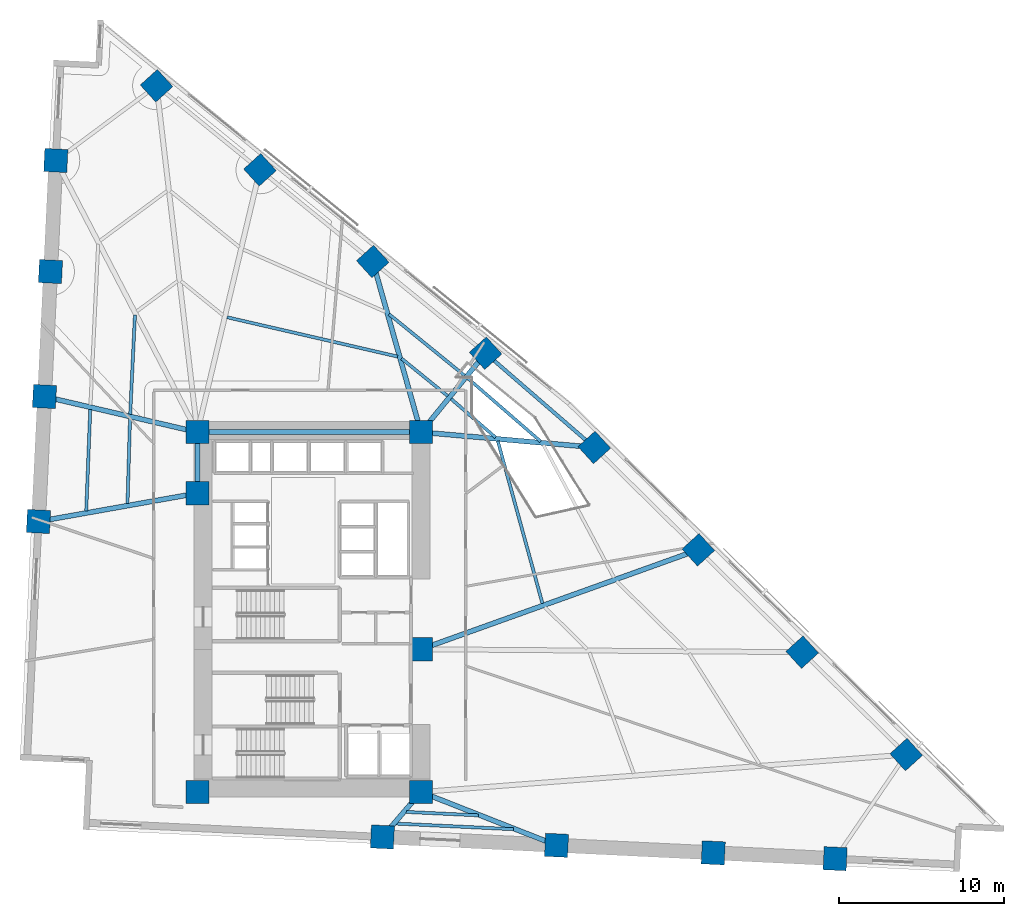
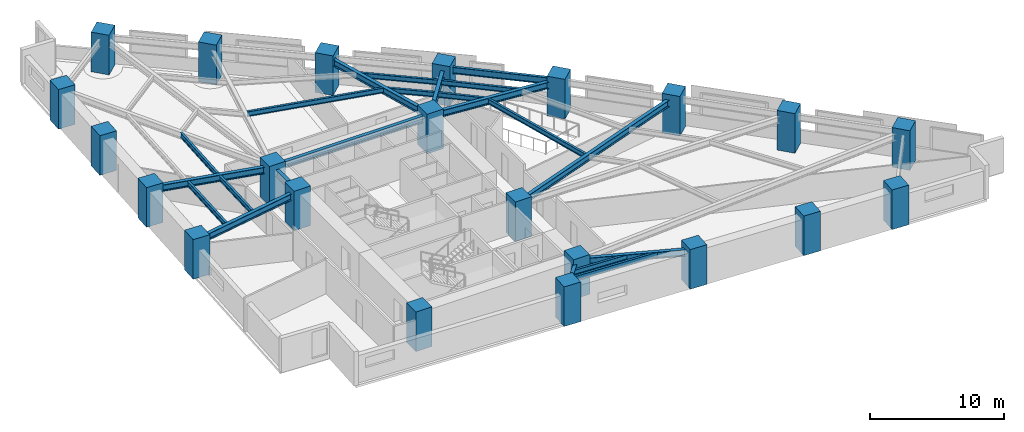
# One storey, part 1 of 17: 22 beams, 22 columns.
"""IFC4 building model written with IfcOpenShell, lengths in metres."""

from ifc_helpers import new_model, si_unit, direction, frame, origin, origin_2d, place, context, subcontext, project, spatial, rectangle, i_section, extrude, material, material_profile, profile_set, type_object, element, save


model = new_model("IFC4")

# Units and contexts
model_context = context("Model", 3, precision=1e-05, world=origin(), true_north=direction((0.0, 1.0)))
body_context = subcontext(model_context, "Body", "Model", "MODEL_VIEW")
ifc_project = project(units=[si_unit("LENGTHUNIT", "METRE"), si_unit("AREAUNIT", "SQUARE_METRE"), si_unit("VOLUMEUNIT", "CUBIC_METRE"), si_unit("PLANEANGLEUNIT", "RADIAN"), si_unit("MASSUNIT", "GRAM", prefix="KILO")], contexts=[model_context])

# Site, building, storey
site_placement = place(None, origin())
site = spatial("IfcSite", under=ifc_project, at=site_placement, CompositionType="ELEMENT")
building_placement = place(site_placement, origin())
building = spatial("IfcBuilding", under=site, at=building_placement, Name="Narakoshi Arena Tower", CompositionType="ELEMENT")
storey_placement = place(building_placement, frame((0.0, 0.0, 55.5)))
storey = spatial("IfcBuildingStorey", under=building, at=storey_placement, Name="L14", CompositionType="ELEMENT", Elevation=55.5)

# Columns
ifc_material_1 = material(Name="Concrete C60/75", Category="concrete")
ifc_material_profile_1 = material_profile(ifc_material_1, rectangle(XDim=1.39990234375, YDim=1.39990234375, at=origin_2d()), Name="RC1400x1400")
ifc_profile_set_1 = profile_set([ifc_material_profile_1], Name="Concrete C60/75")
column_type = type_object("IfcColumnType", Name="COL-RC1400", PredefinedType="COLUMN", material=ifc_profile_set_1)
for number, where, z_axis, x_axis, name in (
    (1, (72.0, 34.699951171875, 0.0), (0.0, 0.0, 1.0), (1.0, 0.0, 0.0), "L14 Core Structural Column CC1"),
    (2, (85.550048828125, 34.699951171875, 0.0), (0.0, 0.0, 1.0), (1.0, 0.0, 0.0), "L14 Core Structural Column CC2"),
    (3, (85.550048828125, 43.35009765625, 0.0), (0.0, 0.0, 1.0), (1.0, 0.0, 0.0), "L14 Core Structural Column CC3"),
    (4, (72.0, 52.800048828125, 0.0), (0.0, 0.0, 1.0), (1.0, 0.0, 0.0), "L14 Core Structural Column CC4"),
    (5, (72.0, 56.5, 0.0), (0.0, 0.0, 1.0), (1.0, 0.0, 0.0), "L14 Core Structural Column CC5"),
    (6, (85.550048828125, 56.5, 0.0), (0.0, 0.0, 1.0), (1.0, 0.0, 0.0), "L14 Core Structural Column CC6"),
    (7, (83.2119140625, 31.979248046875, 0.0), (0.0, 0.0, 1.0), (-0.998848386485, 0.047978128521, 0.0), "L14 Tower Perimeter Column TC01"),
    (8, (93.760009765625, 31.472412109375, 0.0), (0.0, 0.0, 1.0), (-0.998848386485, 0.047978128521, 0.0), "L14 Tower Perimeter Column TC02"),
    (9, (103.2529296875, 31.0166015625, 0.0), (0.0, 0.0, 1.0), (-0.998848386485, 0.047978128521, 0.0), "L14 Tower Perimeter Column TC03"),
    (10, (110.636474609375, 30.661865234375, 0.0), (0.0, 0.0, 1.0), (-0.998848386485, 0.047978128521, 0.0), "L14 Tower Perimeter Column TC04"),
    (11, (114.942138671875, 36.969970703125, 0.0), (0.0, 0.0, 1.0), (0.740218127487, 0.672366807435, 0.0), "L14 Tower Perimeter Column TC05"),
    (12, (108.643798828125, 43.171875, 0.0), (0.0, 0.0, 1.0), (0.740218127487, 0.672366807435, 0.0), "L14 Tower Perimeter Column TC06"),
    (13, (102.345458984375, 49.373779296875, 0.0), (0.0, 0.0, 1.0), (0.740218127487, 0.672366807435, 0.0), "L14 Tower Perimeter Column TC07"),
    (14, (96.047119140625, 55.57568359375, 0.0), (0.0, 0.0, 1.0), (0.740218127487, 0.672366807435, 0.0), "L14 Tower Perimeter Column TC08"),
    (15, (89.459716796875, 61.28515625, 0.0), (0.0, 0.0, 1.0), (0.740218127487, 0.672366807435, 0.0), "L14 Tower Perimeter Column TC09"),
    (16, (82.626953125, 66.838623046875, 0.0), (0.0, 0.0, 1.0), (0.740218127487, 0.672366807435, 0.0), "L14 Tower Perimeter Column TC10"),
    (17, (75.794189453125, 72.392333984375, 0.0), (0.0, 0.0, 1.0), (0.740218127487, 0.672366807435, 0.0), "L14 Tower Perimeter Column TC11"),
    (18, (69.531005859375, 77.483154296875, 0.0), (0.0, 0.0, 1.0), (0.740218127487, 0.672366807435, 0.0), "L14 Tower Perimeter Column TC12"),
    (19, (63.42822265625, 72.95654296875, 0.0), (0.0, 0.0, 1.0), (0.047978128521, 0.998848386485, 0.0), "L14 Tower Perimeter Column TC13"),
    (20, (63.10498046875, 66.228271484375, 0.0), (0.0, 0.0, 1.0), (0.047978128521, 0.998848386485, 0.0), "L14 Tower Perimeter Column TC14"),
    (21, (62.74169921875, 58.658935546875, 0.0), (0.0, 0.0, 1.0), (0.047978128521, 0.998848386485, 0.0), "L14 Tower Perimeter Column TC15"),
    (22, (62.3779296875, 51.08984375, 0.0), (0.0, 0.0, 1.0), (0.047978128521, 0.998848386485, 0.0), "L14 Tower Perimeter Column TC16"),
):
    element("IfcColumn", number, at=place(storey_placement, frame(where, z_axis=z_axis, x_axis=x_axis)), inside=storey, type_object=column_type, Name=name, PredefinedType="COLUMN", context=body_context, shape_type="SweptSolid", body=[
        extrude(rectangle(XDim=1.39990234375, YDim=1.39990234375, at=origin_2d()), origin(), (0.0, 0.0, 1.0), 3.60009765625),
    ])

# Beams
ifc_material_2 = material(Name="Structural steel S355J2", Category="steel")
ifc_material_profile_2 = material_profile(ifc_material_2, i_section(OverallWidth=0.219970703125, OverallDepth=0.60009765625, WebThickness=0.011962890625, FlangeThickness=0.01904296875, FilletRadius=0.02392578125, at=origin_2d()), Name="IPE600")
ifc_profile_set_2 = profile_set([ifc_material_profile_2], Name="Structural steel S355J2")
beam_type_1 = type_object("IfcBeamType", Name="BM-EDGE-600", PredefinedType="BEAM", material=ifc_profile_set_2)
beam_1_placement = place(storey_placement, frame((96.047119140625, 55.57568359375, 2.800048828125), z_axis=(-0.755666904752, 0.654956127586, 0.0), x_axis=(-0.654956127586, -0.755666904752, 0.0)))
element("IfcBeam", 23, at=beam_1_placement, inside=storey, type_object=beam_type_1, Name="L14 Perimeter Edge Girder 08", PredefinedType="BEAM", context=body_context, shape_type="SweptSolid", body=[
    extrude(i_section(OverallWidth=0.219970703125, OverallDepth=0.60009765625, WebThickness=0.011962890625, FlangeThickness=0.01904296875, FilletRadius=0.02392578125, at=origin_2d()), origin(), (0.0, 0.0, 1.0), 8.71728515625),
])
ifc_material_profile_3 = material_profile(ifc_material_2, i_section(OverallWidth=0.300048828125, OverallDepth=0.60009765625, WebThickness=0.015380859375, FlangeThickness=0.030029296875, FilletRadius=0.027099609375, at=origin_2d()), Name="HE600B")
ifc_profile_set_3 = profile_set([ifc_material_profile_3], Name="Structural steel S355J2")
beam_type_2 = type_object("IfcBeamType", Name="BM-PRI-600", PredefinedType="BEAM", material=ifc_profile_set_3)
beam_2_placement = place(storey_placement, frame((85.550048828125, 34.699951171875, 2.800048828125), z_axis=(-0.651771636497, -0.75841527797, 0.0), x_axis=(0.75841527797, -0.651771636497, 0.0)))
element("IfcBeam", 24, at=beam_2_placement, inside=storey, type_object=beam_type_2, Name="L14 Radial Primary Floor Girder 01", PredefinedType="BEAM", context=body_context, shape_type="SweptSolid", body=[
    extrude(i_section(OverallWidth=0.300048828125, OverallDepth=0.60009765625, WebThickness=0.015380859375, FlangeThickness=0.030029296875, FilletRadius=0.027099609375, at=origin_2d()), origin(), (0.0, 0.0, 1.0), 3.58740234375),
])
beam_3_placement = place(storey_placement, frame((85.550048828125, 34.699951171875, 2.800048828125), z_axis=(0.930666699288, -0.365868138592, 0.0), x_axis=(0.365868138592, 0.930666699288, 0.0)))
element("IfcBeam", 25, at=beam_3_placement, inside=storey, type_object=beam_type_2, Name="L14 Radial Primary Floor Girder 02", PredefinedType="BEAM", context=body_context, shape_type="SweptSolid", body=[
    extrude(i_section(OverallWidth=0.300048828125, OverallDepth=0.60009765625, WebThickness=0.015380859375, FlangeThickness=0.030029296875, FilletRadius=0.027099609375, at=origin_2d()), origin(), (0.0, 0.0, 1.0), 8.821533203125),
])
beam_4_placement = place(storey_placement, frame((85.550048828125, 43.35009765625, 2.800048828125), z_axis=(0.941291582753, 0.337594662634, 0.0), x_axis=(-0.337594662634, 0.941291582753, 0.0)))
element("IfcBeam", 26, at=beam_4_placement, inside=storey, type_object=beam_type_2, Name="L14 Radial Primary Floor Girder 07", PredefinedType="BEAM", context=body_context, shape_type="SweptSolid", body=[
    extrude(i_section(OverallWidth=0.300048828125, OverallDepth=0.60009765625, WebThickness=0.015380859375, FlangeThickness=0.030029296875, FilletRadius=0.027099609375, at=origin_2d()), origin(), (0.0, 0.0, 1.0), 17.843017578125),
])
beam_5_placement = place(storey_placement, frame((85.550048828125, 56.5, 2.800048828125), z_axis=(0.996145584519, -0.087715303354, 0.0), x_axis=(0.087715303354, 0.996145584519, 0.0)))
element("IfcBeam", 27, at=beam_5_placement, inside=storey, type_object=beam_type_2, Name="L14 Radial Primary Floor Girder 08", PredefinedType="BEAM", context=body_context, shape_type="SweptSolid", body=[
    extrude(i_section(OverallWidth=0.300048828125, OverallDepth=0.60009765625, WebThickness=0.015380859375, FlangeThickness=0.030029296875, FilletRadius=0.027099609375, at=origin_2d()), origin(), (0.0, 0.0, 1.0), 10.53759765625),
])
beam_6_placement = place(storey_placement, frame((85.550048828125, 56.5, 2.800048828125), z_axis=(0.632708368655, 0.774390160212, 0.0), x_axis=(-0.774390160212, 0.632708368655, 0.0)))
element("IfcBeam", 28, at=beam_6_placement, inside=storey, type_object=beam_type_2, Name="L14 Radial Primary Floor Girder 09", PredefinedType="BEAM", context=body_context, shape_type="SweptSolid", body=[
    extrude(i_section(OverallWidth=0.300048828125, OverallDepth=0.60009765625, WebThickness=0.015380859375, FlangeThickness=0.030029296875, FilletRadius=0.027099609375, at=origin_2d()), origin(), (0.0, 0.0, 1.0), 6.17919921875),
])
beam_7_placement = place(storey_placement, frame((85.550048828125, 56.5, 2.800048828125), z_axis=(-0.272069994974, 0.962277464058, 0.0), x_axis=(-0.962277464058, -0.272069994974, 0.0)))
element("IfcBeam", 29, at=beam_7_placement, inside=storey, type_object=beam_type_2, Name="L14 Radial Primary Floor Girder 10", PredefinedType="BEAM", context=body_context, shape_type="SweptSolid", body=[
    extrude(i_section(OverallWidth=0.300048828125, OverallDepth=0.60009765625, WebThickness=0.015380859375, FlangeThickness=0.030029296875, FilletRadius=0.027099609375, at=origin_2d()), origin(), (0.0, 0.0, 1.0), 10.743896484375),
])
beam_8_placement = place(storey_placement, frame((72.0, 56.5, 2.800048828125), z_axis=(-0.973872266719, 0.227096473145, 0.0), x_axis=(-0.227096473145, -0.973872266719, 0.0)))
element("IfcBeam", 30, at=beam_8_placement, inside=storey, type_object=beam_type_2, Name="L14 Radial Primary Floor Girder 15", PredefinedType="BEAM", context=body_context, shape_type="SweptSolid", body=[
    extrude(i_section(OverallWidth=0.300048828125, OverallDepth=0.60009765625, WebThickness=0.015380859375, FlangeThickness=0.030029296875, FilletRadius=0.027099609375, at=origin_2d()), origin(), (0.0, 0.0, 1.0), 9.506591796875),
])
beam_9_placement = place(storey_placement, frame((72.0, 52.800048828125, 2.800048828125), z_axis=(-0.984569299514, -0.174995126944, 0.0), x_axis=(0.174995126944, -0.984569299514, 0.0)))
element("IfcBeam", 31, at=beam_9_placement, inside=storey, type_object=beam_type_2, Name="L14 Radial Primary Floor Girder 16", PredefinedType="BEAM", context=body_context, shape_type="SweptSolid", body=[
    extrude(i_section(OverallWidth=0.300048828125, OverallDepth=0.60009765625, WebThickness=0.015380859375, FlangeThickness=0.030029296875, FilletRadius=0.027099609375, at=origin_2d()), origin(), (0.0, 0.0, 1.0), 9.77294921875),
])
beam_10_placement = place(storey_placement, frame((72.0, 52.800048828125, 2.800048828125), z_axis=(0.0, 1.0, 0.0), x_axis=(-1.0, 0.0, 0.0)))
element("IfcBeam", 32, at=beam_10_placement, inside=storey, type_object=beam_type_2, Name="L14 Core Perimeter Frame Beam CC4-CC5", PredefinedType="BEAM", context=body_context, shape_type="SweptSolid", body=[
    extrude(i_section(OverallWidth=0.300048828125, OverallDepth=0.60009765625, WebThickness=0.015380859375, FlangeThickness=0.030029296875, FilletRadius=0.027099609375, at=origin_2d()), origin(), (0.0, 0.0, 1.0), 3.699951171875),
])
beam_11_placement = place(storey_placement, frame((72.0, 56.5, 2.800048828125), z_axis=(1.0, 0.0, 0.0), x_axis=(0.0, 1.0, 0.0)))
element("IfcBeam", 33, at=beam_11_placement, inside=storey, type_object=beam_type_2, Name="L14 Core Perimeter Frame Beam CC5-CC6", PredefinedType="BEAM", context=body_context, shape_type="SweptSolid", body=[
    extrude(i_section(OverallWidth=0.300048828125, OverallDepth=0.60009765625, WebThickness=0.015380859375, FlangeThickness=0.030029296875, FilletRadius=0.027099609375, at=origin_2d()), origin(), (0.0, 0.0, 1.0), 13.550048828125),
])
ifc_material_profile_4 = material_profile(ifc_material_2, i_section(OverallWidth=0.18994140625, OverallDepth=0.449951171875, WebThickness=0.009521484375, FlangeThickness=0.0146484375, FilletRadius=0.02099609375, at=origin_2d()), Name="IPE450")
ifc_profile_set_4 = profile_set([ifc_material_profile_4], Name="Structural steel S355J2")
beam_type_3 = type_object("IfcBeamType", Name="BM-SEC-450", PredefinedType="JOIST", material=ifc_profile_set_4)
beam_12_placement = place(storey_placement, frame((84.656005859375, 33.496337890625, 2.875), z_axis=(0.998848618666, -0.047973294541, 0.0), x_axis=(0.047973294541, 0.998848618666, 0.0)))
element("IfcBeam", 34, at=beam_12_placement, inside=storey, type_object=beam_type_3, Name="L14 Composite Secondary Floor Joist 01", PredefinedType="JOIST", context=body_context, shape_type="SweptSolid", body=[
    extrude(i_section(OverallWidth=0.18994140625, OverallDepth=0.449951171875, WebThickness=0.009521484375, FlangeThickness=0.0146484375, FilletRadius=0.02099609375, at=origin_2d()), origin(), (0.0, 0.0, 1.0), 4.376708984375),
])
beam_13_placement = place(storey_placement, frame((84.048095703125, 32.7890625, 2.875), z_axis=(0.998847805769, -0.047990216825, 0.0), x_axis=(0.047990216825, 0.998847805769, 0.0)))
element("IfcBeam", 35, at=beam_13_placement, inside=storey, type_object=beam_type_3, Name="L14 Composite Secondary Floor Joist 02", PredefinedType="JOIST", context=body_context, shape_type="SweptSolid", body=[
    extrude(i_section(OverallWidth=0.18994140625, OverallDepth=0.449951171875, WebThickness=0.009521484375, FlangeThickness=0.0146484375, FilletRadius=0.02099609375, at=origin_2d()), origin(), (0.0, 0.0, 1.0), 7.122314453125),
])
beam_14_placement = place(storey_placement, frame((92.904296875, 46.130615234375, 2.875), z_axis=(-0.264792509955, 0.964305411512, 0.0), x_axis=(-0.964305411512, -0.264792509955, 0.0)))
element("IfcBeam", 36, at=beam_14_placement, inside=storey, type_object=beam_type_3, Name="L14 Composite Secondary Floor Joist 07", PredefinedType="JOIST", context=body_context, shape_type="SweptSolid", body=[
    extrude(i_section(OverallWidth=0.18994140625, OverallDepth=0.449951171875, WebThickness=0.009521484375, FlangeThickness=0.0146484375, FilletRadius=0.02099609375, at=origin_2d()), origin(), (0.0, 0.0, 1.0), 10.196533203125),
])
beam_15_placement = place(storey_placement, frame((90.066650390625, 56.181640625, 2.875), z_axis=(-0.755639378747, 0.65498788484, 0.0), x_axis=(-0.65498788484, -0.755639378747, 0.0)))
element("IfcBeam", 37, at=beam_15_placement, inside=storey, type_object=beam_type_3, Name="L14 Composite Secondary Floor Joist 09", PredefinedType="JOIST", context=body_context, shape_type="SweptSolid", body=[
    extrude(i_section(OverallWidth=0.18994140625, OverallDepth=0.449951171875, WebThickness=0.009521484375, FlangeThickness=0.0146484375, FilletRadius=0.02099609375, at=origin_2d()), origin(), (0.0, 0.0, 1.0), 3.565673828125),
])
beam_16_placement = place(storey_placement, frame((92.7958984375, 55.94140625, 2.875), z_axis=(-0.755651788219, 0.654973568139, 0.0), x_axis=(-0.654973568139, -0.755651788219, 0.0)))
element("IfcBeam", 38, at=beam_16_placement, inside=storey, type_object=beam_type_3, Name="L14 Composite Secondary Floor Joist 10", PredefinedType="JOIST", context=body_context, shape_type="SweptSolid", body=[
    extrude(i_section(OverallWidth=0.18994140625, OverallDepth=0.449951171875, WebThickness=0.009521484375, FlangeThickness=0.0146484375, FilletRadius=0.02099609375, at=origin_2d()), origin(), (0.0, 0.0, 1.0), 5.83203125),
])
beam_17_placement = place(storey_placement, frame((87.16552734375, 58.690673828125, 2.875), z_axis=(-0.776014534115, 0.630715025065, 0.0), x_axis=(-0.630715025065, -0.776014534115, 0.0)))
element("IfcBeam", 39, at=beam_17_placement, inside=storey, type_object=beam_type_3, Name="L14 Composite Secondary Floor Joist 11", PredefinedType="JOIST", context=body_context, shape_type="SweptSolid", body=[
    extrude(i_section(OverallWidth=0.18994140625, OverallDepth=0.449951171875, WebThickness=0.009521484375, FlangeThickness=0.0146484375, FilletRadius=0.02099609375, at=origin_2d()), origin(), (0.0, 0.0, 1.0), 3.604248046875),
])
beam_18_placement = place(storey_placement, frame((88.18212890625, 59.934814453125, 2.875), z_axis=(-0.776024025763, 0.630703346621, 0.0), x_axis=(-0.630703346621, -0.776024025763, 0.0)))
element("IfcBeam", 40, at=beam_18_placement, inside=storey, type_object=beam_type_3, Name="L14 Composite Secondary Floor Joist 12", PredefinedType="JOIST", context=body_context, shape_type="SweptSolid", body=[
    extrude(i_section(OverallWidth=0.18994140625, OverallDepth=0.449951171875, WebThickness=0.009521484375, FlangeThickness=0.0146484375, FilletRadius=0.02099609375, at=origin_2d()), origin(), (0.0, 0.0, 1.0), 5.8935546875),
])
beam_19_placement = place(storey_placement, frame((84.13232421875, 61.079345703125, 2.875), z_axis=(-0.974413699893, 0.224761966223, 0.0), x_axis=(-0.224761966223, -0.974413699893, 0.0)))
element("IfcBeam", 41, at=beam_19_placement, inside=storey, type_object=beam_type_3, Name="L14 Composite Secondary Floor Joist 13", PredefinedType="JOIST", context=body_context, shape_type="SweptSolid", body=[
    extrude(i_section(OverallWidth=0.18994140625, OverallDepth=0.449951171875, WebThickness=0.009521484375, FlangeThickness=0.0146484375, FilletRadius=0.02099609375, at=origin_2d()), origin(), (0.0, 0.0, 1.0), 10.6025390625),
])
beam_20_placement = place(storey_placement, frame((68.221923828125, 63.606201171875, 2.875), z_axis=(-0.047949971232, -0.998849738579, 0.0), x_axis=(0.998849738579, -0.047949971232, 0.0)))
element("IfcBeam", 42, at=beam_20_placement, inside=storey, type_object=beam_type_3, Name="L14 Composite Secondary Floor Joist 19", PredefinedType="JOIST", context=body_context, shape_type="SweptSolid", body=[
    extrude(i_section(OverallWidth=0.18994140625, OverallDepth=0.449951171875, WebThickness=0.009521484375, FlangeThickness=0.0146484375, FilletRadius=0.02099609375, at=origin_2d()), origin(), (0.0, 0.0, 1.0), 6.0283203125),
])
beam_21_placement = place(storey_placement, frame((67.92236328125, 57.31494140625, 2.875), z_axis=(-0.029622614356, -0.999561154066, 0.0), x_axis=(0.999561154066, -0.029622614356, 0.0)))
element("IfcBeam", 43, at=beam_21_placement, inside=storey, type_object=beam_type_3, Name="L14 Composite Secondary Floor Joist 21", PredefinedType="JOIST", context=body_context, shape_type="SweptSolid", body=[
    extrude(i_section(OverallWidth=0.18994140625, OverallDepth=0.449951171875, WebThickness=0.009521484375, FlangeThickness=0.0146484375, FilletRadius=0.02099609375, at=origin_2d()), origin(), (0.0, 0.0, 1.0), 5.134521484375),
])
beam_22_placement = place(storey_placement, frame((65.513916015625, 57.87646484375, 2.875), z_axis=(-0.039699826578, -0.999211651138, 0.0), x_axis=(0.999211651138, -0.039699826578, 0.0)))
element("IfcBeam", 44, at=beam_22_placement, inside=storey, type_object=beam_type_3, Name="L14 Composite Secondary Floor Joist 22", PredefinedType="JOIST", context=body_context, shape_type="SweptSolid", body=[
    extrude(i_section(OverallWidth=0.18994140625, OverallDepth=0.449951171875, WebThickness=0.009521484375, FlangeThickness=0.0146484375, FilletRadius=0.02099609375, at=origin_2d()), origin(), (0.0, 0.0, 1.0), 6.1435546875),
])

save(model, "model.ifc")
